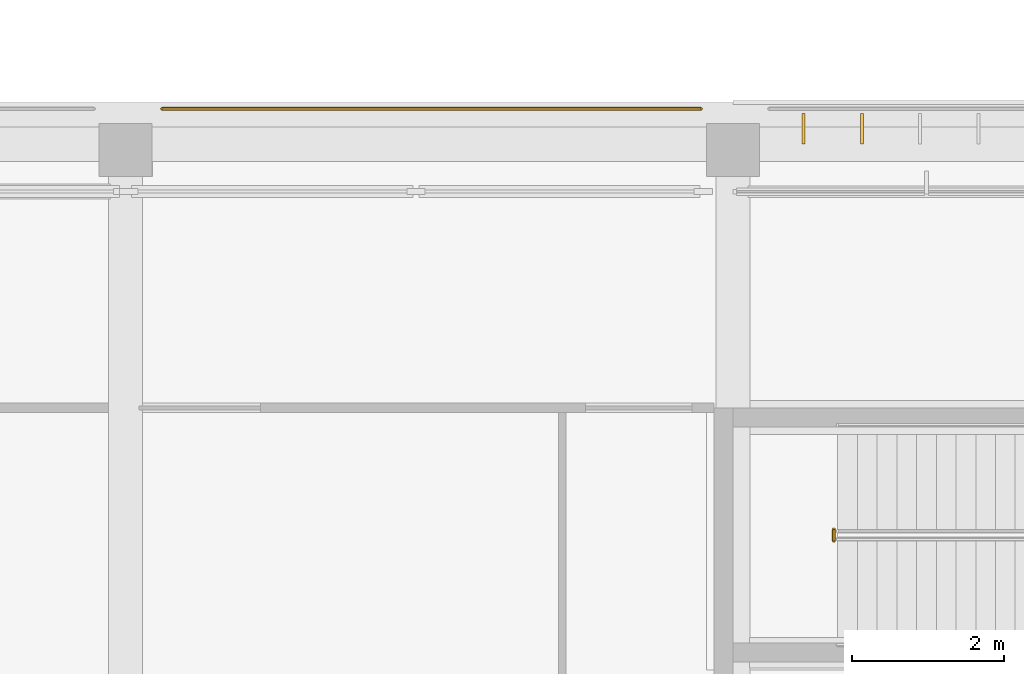
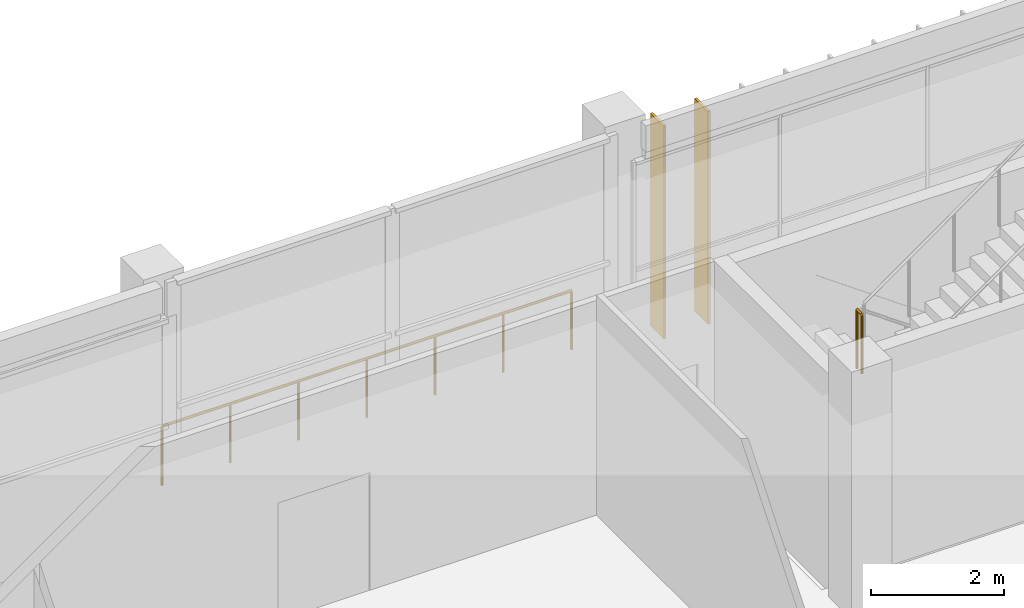
# One storey, part 35 of 46: 2 railings, 2 shading devices.
"""IFC4 building model written with IfcOpenShell, lengths in metres."""

import ifcopenshell
import ifcopenshell.guid

model = None  # the IFC model being written
_history = None  # IfcOwnerHistory: only IFC2X3 demands one
_inside = {}  # id of a spatial element -> (the spatial element, [elements in it])
_under = {}  # id of a project, library or spatial element -> (it, [spatial elements below it])
_declared = {}  # id of a project -> (the project, [libraries it declares])
_typed = {}  # id of a type object -> (the type object, [elements of that type])
_made_of = {}  # id of a material, layer set ... -> (it, [elements and type objects made of it])


def new_model(schema):
    """Start an empty IFC model of exactly this schema.

    Asked for "IFC4X3", IfcOpenShell would pick the latest addendum, in which some entities
    have other attributes; the version numbers below select the first issue.
    IFC2X3 requires an IfcOwnerHistory on every rooted entity: one is made here for all.
    """
    global model, _history
    if schema == "IFC4X3":
        model = ifcopenshell.file(schema_version=(4, 3, 0, 0))
    else:
        model = ifcopenshell.file(schema=schema)
    _inside.clear()
    _under.clear()
    _declared.clear()
    _typed.clear()
    _made_of.clear()
    _history = None
    if model.schema == "IFC2X3":
        org = make("IfcOrganization", Name="unknown")
        user = make(
            "IfcPersonAndOrganization",
            ThePerson=make("IfcPerson", FamilyName="unknown"),
            TheOrganization=org,
        )
        app = make(
            "IfcApplication",
            ApplicationDeveloper=org,
            Version="unknown",
            ApplicationFullName="unknown",
            ApplicationIdentifier="unknown",
        )
        _history = make(
            "IfcOwnerHistory",
            OwningUser=user,
            OwningApplication=app,
            ChangeAction="ADDED",
            CreationDate=0,
        )
    return model


def make(cls, **values):
    """One entity of the class cls with the attributes given. An attribute that is None is left unset."""
    return model.create_entity(
        cls, **{name: value for name, value in values.items() if value is not None}
    )


def rooted(cls, **values):
    """An entity with a GlobalId (a new one), such as an element, a storey or a relation."""
    return make(cls, GlobalId=ifcopenshell.guid.new(), OwnerHistory=_history, **values)


def si_unit(unit_type, name, prefix=None):
    """IfcSIUnit, for example si_unit("LENGTHUNIT", "METRE", prefix="MILLI")."""
    return make("IfcSIUnit", UnitType=unit_type, Prefix=prefix, Name=name)


def assignment(units):
    """IfcUnitAssignment: the units of a project."""
    return None if units is None else make("IfcUnitAssignment", Units=units)


def point(xyz):
    """IfcCartesianPoint."""
    return None if xyz is None else make("IfcCartesianPoint", Coordinates=xyz)


def direction(xyz):
    """IfcDirection."""
    return None if xyz is None else make("IfcDirection", DirectionRatios=xyz)


def frame(location, z_axis=None, x_axis=None):
    """IfcAxis2Placement3D, a coordinate frame: its origin and axes. An axis left out is left unset."""
    return make(
        "IfcAxis2Placement3D",
        Location=point(location),
        Axis=direction(z_axis),
        RefDirection=direction(x_axis),
    )


def frame_2d(location, x_axis=None):
    """IfcAxis2Placement2D, a coordinate frame in the plane: its origin and x axis."""
    return make(
        "IfcAxis2Placement2D", Location=point(location), RefDirection=direction(x_axis)
    )


def origin():
    """The frame at (0, 0, 0) with its axes left unset."""
    return frame((0.0, 0.0, 0.0))


def origin_2d():
    """The frame at (0, 0) in the plane with its x axis left unset."""
    return frame_2d((0.0, 0.0))


def place(relative_to, where):
    """IfcLocalPlacement: puts the frame where relative to a parent placement (None: the world)."""
    return make(
        "IfcLocalPlacement", PlacementRelTo=relative_to, RelativePlacement=where
    )


def context(
    kind, dimensions, precision=None, world=None, true_north=None, identifier=None
):
    """IfcGeometricRepresentationContext, for example the 3D "Model" context."""
    return make(
        "IfcGeometricRepresentationContext",
        ContextIdentifier=identifier,
        ContextType=kind,
        CoordinateSpaceDimension=dimensions,
        Precision=precision,
        WorldCoordinateSystem=world,
        TrueNorth=true_north,
    )


def subcontext(parent, identifier, kind, view, scale=None):
    """IfcGeometricRepresentationSubContext, for example "Body" below "Model"."""
    return make(
        "IfcGeometricRepresentationSubContext",
        ContextIdentifier=identifier,
        ContextType=kind,
        ParentContext=parent,
        TargetScale=scale,
        TargetView=view,
    )


def project(units=None, contexts=None):
    """IfcProject with its units and contexts."""
    return rooted(
        "IfcProject",
        Name="project",
        RepresentationContexts=contexts,
        UnitsInContext=assignment(units),
    )


def spatial(cls, under=None, at=None, **own):
    """A site, building, storey or space (cls), placed at a placement, below another one or the project."""
    s = rooted(cls, ObjectPlacement=at, **own)
    if under is not None:
        _under.setdefault(under.id(), (under, []))[1].append(s)
    return s


def profile(cls, at=None, kind="AREA", **sizes):
    """A parametric profile (cls). Its sizes go by their IFC names, for example OverallWidth=200.0."""
    return make(cls, ProfileType=kind, Position=at, **sizes)


def rectangle(**sizes):
    """IfcRectangleProfileDef."""
    return profile("IfcRectangleProfileDef", **sizes)


def circle(**sizes):
    """IfcCircleProfileDef."""
    return profile("IfcCircleProfileDef", **sizes)


def extrude(swept, where, along, depth):
    """IfcExtrudedAreaSolid: the profile swept, set in the frame where, extruded along a direction by depth."""
    return make(
        "IfcExtrudedAreaSolid",
        SweptArea=swept,
        Position=where,
        ExtrudedDirection=direction(along),
        Depth=depth,
    )


def shape(context_of_items, identifier, shape_type, items):
    """IfcShapeRepresentation: the items that make up one representation, for example the "Body"."""
    return make(
        "IfcShapeRepresentation",
        ContextOfItems=context_of_items,
        RepresentationIdentifier=identifier,
        RepresentationType=shape_type,
        Items=items,
    )


def material(Name=None, Category=None):
    """IfcMaterial."""
    return make("IfcMaterial", Name=Name, Category=Category)


def layer(
    of_material, thickness, ventilated=None, Name=None, Category=None, Priority=None
):
    """IfcMaterialLayer: one layer of a wall or slab, of a material (None: an air gap)."""
    return make(
        "IfcMaterialLayer",
        Material=of_material,
        LayerThickness=thickness,
        IsVentilated=ventilated,
        Name=Name,
        Category=Category,
        Priority=Priority,
    )


def layer_set(layers, Name=None):
    """IfcMaterialLayerSet."""
    return make("IfcMaterialLayerSet", MaterialLayers=layers, LayerSetName=Name)


def made_of(thing, what):
    """Note that an element or type object is made of a material, layer set ...; save() writes the relation."""
    if what is not None:
        _made_of.setdefault(what.id(), (what, []))[1].append(thing)
    return thing


def type_object(cls, material=None, **own):
    """A type object (cls), such as IfcWallType, which elements share."""
    return made_of(rooted(cls, **own), material)


def element(
    cls,
    number,
    at=None,
    inside=None,
    cuts=None,
    type_object=None,
    material=None,
    context=None,
    identifier="Body",
    shape_type=None,
    held_by="IfcProductDefinitionShape",
    body=None,
    shapes=None,
    **own,
):
    """One element of the class cls, such as IfcWall. Its Tag is "e" and its number.

    at: its placement. inside: the storey or other place that contains it. cuts: it is an
    opening in that element (IfcRelVoidsElement). A single representation is given by context,
    identifier, shape_type and body (its items); several are given by shapes. held_by: the class
    of the entity that holds the representations. save() writes the other relations.
    """
    e = rooted(cls, Tag="e%d" % number, ObjectPlacement=at, **own)
    if body is not None:
        shapes = [shape(context, identifier, shape_type, body)]
    if shapes is not None:
        e.Representation = make(held_by, Representations=shapes)
    if inside is not None:
        _inside.setdefault(inside.id(), (inside, []))[1].append(e)
    if cuts is not None:
        rooted(
            "IfcRelVoidsElement", RelatingBuildingElement=cuts, RelatedOpeningElement=e
        )
    if type_object is not None:
        _typed.setdefault(type_object.id(), (type_object, []))[1].append(e)
    return made_of(e, material)


def aggregate(whole, parts):
    """IfcRelAggregates: a whole, such as a stair, and the parts it consists of."""
    return rooted("IfcRelAggregates", RelatingObject=whole, RelatedObjects=parts)


def save(model, path):
    """Write the relations noted so far, then the file.

    IfcRelAggregates (storeys below a building ...), IfcRelContainedInSpatialStructure (elements
    in a storey), IfcRelDefinesByType, IfcRelAssociatesMaterial and IfcRelDeclares: one each for
    every whole, place, type object, material and project.
    """
    for whole, parts in _under.values():
        aggregate(whole, parts)
    for where, things in _inside.values():
        rooted(
            "IfcRelContainedInSpatialStructure",
            RelatedElements=things,
            RelatingStructure=where,
        )
    for kind, things in _typed.values():
        rooted("IfcRelDefinesByType", RelatedObjects=things, RelatingType=kind)
    for what, things in _made_of.values():
        rooted("IfcRelAssociatesMaterial", RelatedObjects=things, RelatingMaterial=what)
    for by, libraries in _declared.values():
        rooted("IfcRelDeclares", RelatingContext=by, RelatedDefinitions=libraries)
    model.write(path)


model = new_model("IFC4")

# Units and contexts
model_context = context("Model", 3, precision=1e-05, world=origin(), true_north=direction((0.0, 1.0)))
body_context = subcontext(model_context, "Body", "Model", "MODEL_VIEW")
ifc_project = project(units=[si_unit("LENGTHUNIT", "METRE"), si_unit("AREAUNIT", "SQUARE_METRE"), si_unit("VOLUMEUNIT", "CUBIC_METRE"), si_unit("PLANEANGLEUNIT", "RADIAN"), si_unit("MASSUNIT", "GRAM", prefix="KILO")], contexts=[model_context])

# Site, building, storey
site_placement = place(None, origin())
site = spatial("IfcSite", under=ifc_project, at=site_placement, CompositionType="ELEMENT")
building_placement = place(site_placement, origin())
building = spatial("IfcBuilding", under=site, at=building_placement, Name="Lantern Court Media Centre", CompositionType="ELEMENT")
storey_placement = place(building_placement, frame((0.0, 0.0, 28.800048828125)))
storey = spatial("IfcBuildingStorey", under=building, at=storey_placement, Name="L06", CompositionType="ELEMENT", Elevation=28.800048828125)

# Railings
ifc_material_1 = material(Name="Powder-coated steel", Category="steel")
railing_type_1 = type_object("IfcRailingType", Name="Floor edge guard 1100", PredefinedType="GUARDRAIL", material=ifc_material_1)
railing_1_placement = place(storey_placement, frame((56.48095703125, 57.93994140625, 0.0)))
element("IfcRailing", 1, at=railing_1_placement, inside=storey, type_object=railing_type_1, Name="L06 edge guard 241", PredefinedType="GUARDRAIL", context=body_context, shape_type="SweptSolid", body=[
    extrude(circle(Radius=0.02392578125, at=origin_2d()), frame((0.0, 0.0, 1.076171875), z_axis=(1.0, 0.0, 0.0), x_axis=(0.0, 1.0, 0.0)), (0.0, 0.0, 1.0), 7.09814453125),
    extrude(circle(Radius=0.02099609375, at=origin_2d()), origin(), (0.0, 0.0, 1.0), 1.052001953125),
    extrude(circle(Radius=0.02099609375, at=origin_2d()), frame((1.18310546875, 0.0, 0.0)), (0.0, 0.0, 1.0), 1.052001953125),
    extrude(circle(Radius=0.02099609375, at=origin_2d()), frame((2.365966796875, 0.0, 0.0)), (0.0, 0.0, 1.0), 1.052001953125),
    extrude(circle(Radius=0.02099609375, at=origin_2d()), frame((3.549072265625, 0.0, 0.0)), (0.0, 0.0, 1.0), 1.052001953125),
    extrude(circle(Radius=0.02099609375, at=origin_2d()), frame((4.732177734375, 0.0, 0.0)), (0.0, 0.0, 1.0), 1.052001953125),
    extrude(circle(Radius=0.02099609375, at=origin_2d()), frame((5.9150390625, 0.0, 0.0)), (0.0, 0.0, 1.0), 1.052001953125),
    extrude(circle(Radius=0.02099609375, at=origin_2d()), frame((7.09814453125, 0.0, 0.0)), (0.0, 0.0, 1.0), 1.052001953125),
])
railing_type_2 = type_object("IfcRailingType", Name="Stair guard 1100", PredefinedType="GUARDRAIL", material=ifc_material_1)
railing_2_placement = place(storey_placement, frame((65.330078125, 52.39990234375, 2.39990234375)))
element("IfcRailing", 2, at=railing_2_placement, inside=storey, type_object=railing_type_2, Name="L06 ST-V3-ST-E stair guard 2", PredefinedType="GUARDRAIL", context=body_context, shape_type="SweptSolid", body=[
    extrude(circle(Radius=0.02392578125, at=origin_2d()), frame((0.0, 0.0, 1.076171875), z_axis=(0.0, -1.0, 0.0), x_axis=(1.0, 0.0, 0.0)), (0.0, 0.0, 1.0), 0.14990234375),
    extrude(circle(Radius=0.02099609375, at=origin_2d()), origin(), (0.0, 0.0, 1.0), 1.052001953125),
    extrude(circle(Radius=0.02099609375, at=origin_2d()), frame((0.0, -0.14990234375, 0.0)), (0.0, 0.0, 1.0), 1.052001953125),
])

# Shading devices
ifc_material_2 = material(Name="Bronze anodised aluminium louvre", Category="aluminium")
ifc_layer = layer(ifc_material_2, 0.0400390625)
ifc_layer_set = layer_set([ifc_layer], Name="Bronze anodised aluminium louvre")
shading_device_type = type_object("IfcShadingDeviceType", Name="Vertical louvre 40x400 under beam", PredefinedType="USERDEFINED", material=ifc_layer_set)
for number, where, z_axis, x_axis, name in (
    (3, (64.933349609375, 57.679931640625, 0.0), (0.0, 0.0, 1.0), (1.0, 0.0, 0.0), "Vertical louvre S inner L06"),
    (4, (65.699951171875, 57.679931640625, 0.0), (0.0, 0.0, 1.0), (1.0, 0.0, 0.0), "Vertical louvre S inner L06"),
):
    element("IfcShadingDevice", number, at=place(storey_placement, frame(where, z_axis=z_axis, x_axis=x_axis)), inside=storey, type_object=shading_device_type, Name=name, ObjectType="VERTICAL LOUVRE", PredefinedType="USERDEFINED", context=body_context, shape_type="SweptSolid", body=[
        extrude(rectangle(XDim=0.0400390625, YDim=0.39990234375, at=origin_2d()), origin(), (0.0, 0.0, 1.0), 3.89990234375),
    ])

save(model, "model.ifc")
